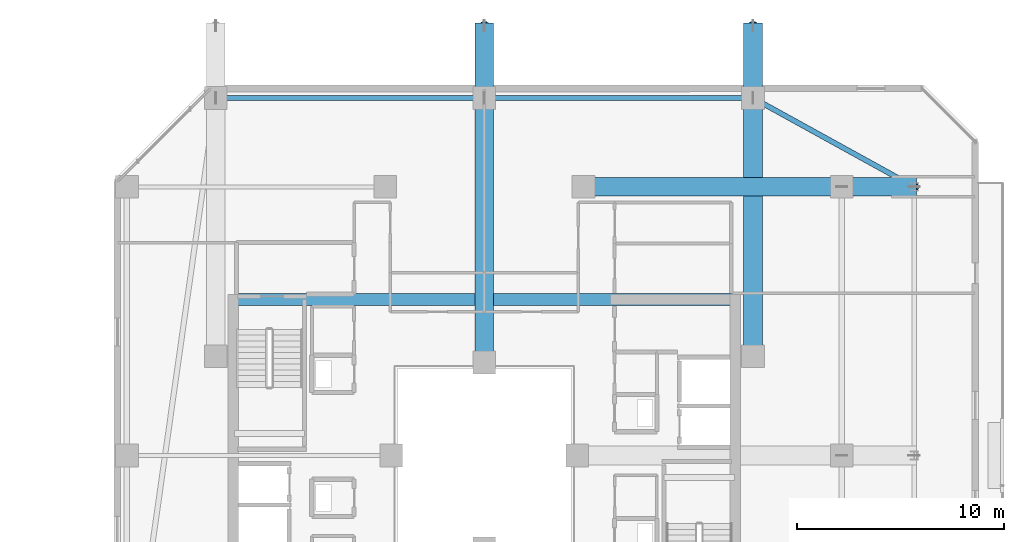
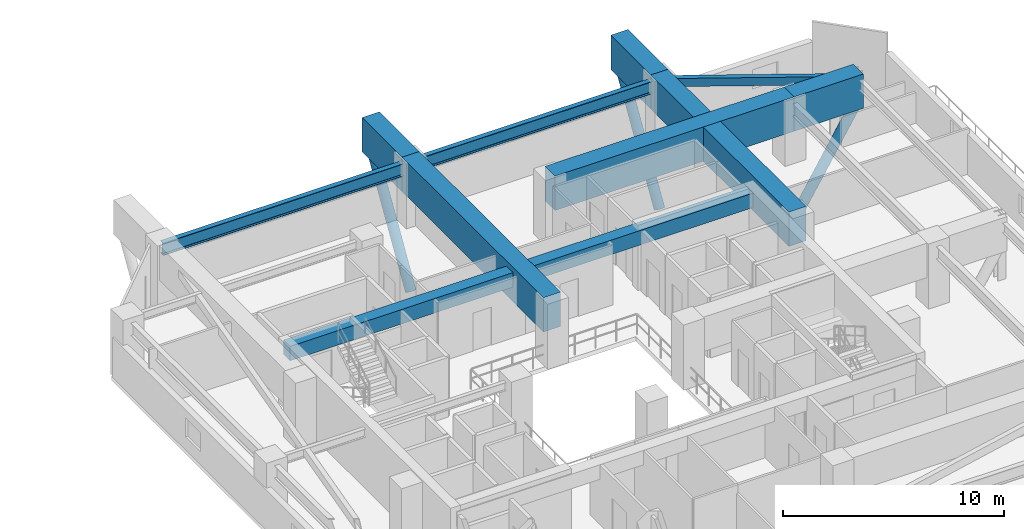
# One storey, part 15 of 35: 10 beams, 3 members.
"""IFC4 building model written with IfcOpenShell, lengths in metres."""

from ifc_helpers import new_model, si_unit, direction, frame, origin, origin_2d, place, context, subcontext, project, spatial, rectangle, hollow_rectangle, hollow_circle, i_section, extrude, material, material_profile, profile_set, type_object, element, save


model = new_model("IFC4")

# Units and contexts
model_context = context("Model", 3, precision=1e-05, world=origin(), true_north=direction((0.0, 1.0)))
body_context = subcontext(model_context, "Body", "Model", "MODEL_VIEW")
ifc_project = project(units=[si_unit("LENGTHUNIT", "METRE"), si_unit("AREAUNIT", "SQUARE_METRE"), si_unit("VOLUMEUNIT", "CUBIC_METRE"), si_unit("PLANEANGLEUNIT", "RADIAN"), si_unit("MASSUNIT", "GRAM", prefix="KILO")], contexts=[model_context])

# Site, building, storey
site_placement = place(None, origin())
site = spatial("IfcSite", under=ifc_project, at=site_placement, CompositionType="ELEMENT")
building_placement = place(site_placement, origin())
building = spatial("IfcBuilding", under=site, at=building_placement, Name="Thornwick Lancets Civic Towers", CompositionType="ELEMENT")
storey_placement = place(building_placement, frame((0.0, 0.0, 145.5)))
storey = spatial("IfcBuildingStorey", under=building, at=storey_placement, Name="L38", CompositionType="ELEMENT", Elevation=145.5)

# Beams
ifc_material_1 = material(Name="Concrete C60/75", Category="concrete")
ifc_material_profile_1 = material_profile(ifc_material_1, rectangle(XDim=0.60009765625, YDim=0.800048828125, at=origin_2d()), Name="RC 600x800")
ifc_profile_set_1 = profile_set([ifc_material_profile_1], Name="Concrete C60/75")
beam_type_1 = type_object("IfcBeamType", Name="BM_COUP_RC800", PredefinedType="BEAM", material=ifc_profile_set_1)
beam_1_placement = place(storey_placement, frame((76.39990234375, 34.550048828125, 2.919921875), z_axis=(1.0, 0.0, 0.0), x_axis=(0.0, 1.0, 0.0)))
element("IfcBeam", 1, at=beam_1_placement, inside=storey, type_object=beam_type_1, Name="CB-L38-B1", PredefinedType="BEAM", context=body_context, shape_type="SweptSolid", body=[
    extrude(rectangle(XDim=0.60009765625, YDim=0.800048828125, at=origin_2d()), origin(), (0.0, 0.0, 1.0), 24.2001953125),
])
ifc_material_2 = material(Name="Steel S355JR", Category="steel")
ifc_material_profile_2 = material_profile(ifc_material_2, i_section(OverallWidth=0.255859375, OverallDepth=0.69287109375, WebThickness=0.014404296875, FlangeThickness=0.023681640625, FilletRadius=0.01513671875, at=origin_2d()), Name="UKB 686x254x170")
ifc_profile_set_2 = profile_set([ifc_material_profile_2], Name="Steel S355JR")
beam_type_2 = type_object("IfcBeamType", Name="BM_GIRD_686_170", PredefinedType="BEAM", material=ifc_profile_set_2)
beam_2_placement = place(storey_placement, frame((101.5, 44.300048828125, 2.973388671875), z_axis=(-1.0, 0.0, 0.0), x_axis=(0.0, -1.0, 0.0)))
element("IfcBeam", 2, at=beam_2_placement, inside=storey, type_object=beam_type_2, Name="BM-SPINE-L38-B-3-4", PredefinedType="BEAM", context=body_context, shape_type="SweptSolid", body=[
    extrude(i_section(OverallWidth=0.255859375, OverallDepth=0.69287109375, WebThickness=0.014404296875, FlangeThickness=0.023681640625, FilletRadius=0.01513671875, at=origin_2d()), origin(), (0.0, 0.0, 1.0), 13.0),
])
beam_3_placement = place(storey_placement, frame((88.419921875, 44.300048828125, 2.973388671875), z_axis=(-1.0, 0.0, 0.0), x_axis=(0.0, -1.0, 0.0)))
element("IfcBeam", 3, at=beam_3_placement, inside=storey, type_object=beam_type_2, Name="BM-SPINE-L38-B-4-5", PredefinedType="BEAM", context=body_context, shape_type="SweptSolid", body=[
    extrude(i_section(OverallWidth=0.255859375, OverallDepth=0.69287109375, WebThickness=0.014404296875, FlangeThickness=0.023681640625, FilletRadius=0.01513671875, at=origin_2d()), origin(), (0.0, 0.0, 1.0), 12.919921875),
])
ifc_material_profile_3 = material_profile(ifc_material_2, hollow_rectangle(XDim=0.25, YDim=0.449951171875, WallThickness=0.01611328125, at=origin_2d()), Name="RHS 450x250x16")
ifc_profile_set_3 = profile_set([ifc_material_profile_3], Name="Steel S355JR")
beam_type_3 = type_object("IfcBeamType", Name="BM_RING_RHS450", PredefinedType="BEAM", material=ifc_profile_set_3)
beam_4_placement = place(storey_placement, frame((109.300048828125, 40.0, 3.094970703125), z_axis=(-0.875740348708, 0.482782395749, 0.0), x_axis=(-0.482782395749, -0.875740348708, 0.0)))
element("IfcBeam", 4, at=beam_4_placement, inside=storey, type_object=beam_type_3, Name="BM-CHAMF-L38-B-C0", PredefinedType="BEAM", context=body_context, shape_type="SweptSolid", body=[
    extrude(hollow_rectangle(XDim=0.25, YDim=0.449951171875, WallThickness=0.01611328125, at=origin_2d()), origin(), (0.0, 0.0, 1.0), 8.90673828125),
])
ifc_material_profile_4 = material_profile(ifc_material_1, rectangle(XDim=0.89990234375, YDim=1.89990234375, at=origin_2d()), Name="RC 900x1900")
ifc_profile_set_4 = profile_set([ifc_material_profile_4], Name="Concrete C60/75")
beam_type_4 = type_object("IfcBeamType", Name="BM_TR_RC1900", PredefinedType="BEAM", material=ifc_profile_set_4)
beam_5_placement = place(storey_placement, frame((93.300048828125, 40.0, 2.64990234375), z_axis=(1.0, 0.0, 0.0), x_axis=(0.0, 1.0, 0.0)))
element("IfcBeam", 5, at=beam_5_placement, inside=storey, type_object=beam_type_4, Name="TG-BACK-L39-B03", PredefinedType="BEAM", context=body_context, shape_type="SweptSolid", body=[
    extrude(rectangle(XDim=0.89990234375, YDim=1.89990234375, at=origin_2d()), origin(), (0.0, 0.0, 1.0), 12.5),
])
beam_6_placement = place(storey_placement, frame((105.800048828125, 40.0, 2.64990234375), z_axis=(1.0, 0.0, 0.0), x_axis=(0.0, 1.0, 0.0)))
element("IfcBeam", 6, at=beam_6_placement, inside=storey, type_object=beam_type_4, Name="TG-CANT-L39-B03", PredefinedType="BEAM", context=body_context, shape_type="SweptSolid", body=[
    extrude(rectangle(XDim=0.89990234375, YDim=1.89990234375, at=origin_2d()), origin(), (0.0, 0.0, 1.0), 3.619873046875),
])
beam_7_placement = place(storey_placement, frame((101.5, 31.800048828125, 2.64990234375), z_axis=(0.0, 1.0, 0.0), x_axis=(-1.0, 0.0, 0.0)))
element("IfcBeam", 7, at=beam_7_placement, inside=storey, type_object=beam_type_4, Name="TG-BACK-L39-B04", PredefinedType="BEAM", context=body_context, shape_type="SweptSolid", body=[
    extrude(rectangle(XDim=0.89990234375, YDim=1.89990234375, at=origin_2d()), origin(), (0.0, 0.0, 1.0), 12.5),
])
beam_8_placement = place(storey_placement, frame((101.5, 44.300048828125, 2.64990234375), z_axis=(0.0, 1.0, 0.0), x_axis=(-1.0, 0.0, 0.0)))
element("IfcBeam", 8, at=beam_8_placement, inside=storey, type_object=beam_type_4, Name="TG-CANT-L39-B04", PredefinedType="BEAM", context=body_context, shape_type="SweptSolid", body=[
    extrude(rectangle(XDim=0.89990234375, YDim=1.89990234375, at=origin_2d()), origin(), (0.0, 0.0, 1.0), 3.619873046875),
])
beam_9_placement = place(storey_placement, frame((88.5, 31.5, 2.64990234375), z_axis=(0.0, 1.0, 0.0), x_axis=(-1.0, 0.0, 0.0)))
element("IfcBeam", 9, at=beam_9_placement, inside=storey, type_object=beam_type_4, Name="TG-BACK-L39-B05", PredefinedType="BEAM", context=body_context, shape_type="SweptSolid", body=[
    extrude(rectangle(XDim=0.89990234375, YDim=1.89990234375, at=origin_2d()), origin(), (0.0, 0.0, 1.0), 12.800048828125),
])
beam_10_placement = place(storey_placement, frame((88.5, 44.300048828125, 2.64990234375), z_axis=(0.0, 1.0, 0.0), x_axis=(-1.0, 0.0, 0.0)))
element("IfcBeam", 10, at=beam_10_placement, inside=storey, type_object=beam_type_4, Name="TG-CANT-L39-B05", PredefinedType="BEAM", context=body_context, shape_type="SweptSolid", body=[
    extrude(rectangle(XDim=0.89990234375, YDim=1.89990234375, at=origin_2d()), origin(), (0.0, 0.0, 1.0), 3.619873046875),
])

# Members
ifc_material_3 = material(Name="Steel S460M", Category="steel")
ifc_material_profile_5 = material_profile(ifc_material_3, hollow_circle(Radius=0.25390625, WallThickness=0.02490234375, at=origin_2d()), Name="CHS 508x25")
ifc_profile_set_5 = profile_set([ifc_material_profile_5], Name="Steel S460M")
member_type = type_object("IfcMemberType", Name="MEM_STRUT_CHS508", PredefinedType="STRUT", material=ifc_profile_set_5)
for number, where, z_axis, x_axis, name in (
    (11, (105.800048828125, 40.0, -3.949951171875), (0.52127056277, 0.0, 0.853391469602), (0.0, 1.0, 0.0), "L39 Jenga Transfer Raking Strut B03"),
    (12, (101.5, 44.300048828125, -3.949951171875), (0.0, 0.52127056277, 0.853391469602), (-1.0, 0.0, 0.0), "L39 Jenga Transfer Raking Strut B04"),
    (13, (88.5, 44.300048828125, -3.949951171875), (0.0, 0.52127056277, 0.853391469602), (-1.0, 0.0, 0.0), "L39 Jenga Transfer Raking Strut B05"),
):
    element("IfcMember", number, at=place(storey_placement, frame(where, z_axis=z_axis, x_axis=x_axis)), inside=storey, type_object=member_type, Name=name, PredefinedType="STRUT", context=body_context, shape_type="SweptSolid", body=[
        extrude(hollow_circle(Radius=0.25390625, WallThickness=0.02490234375, at=origin_2d()), origin(), (0.0, 0.0, 1.0), 6.71435546875),
    ])

save(model, "model.ifc")
